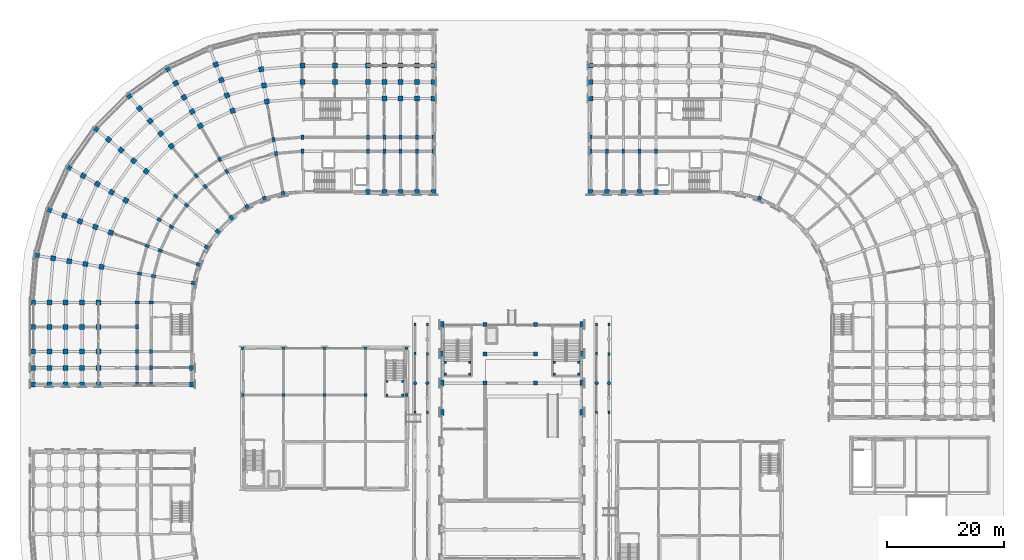
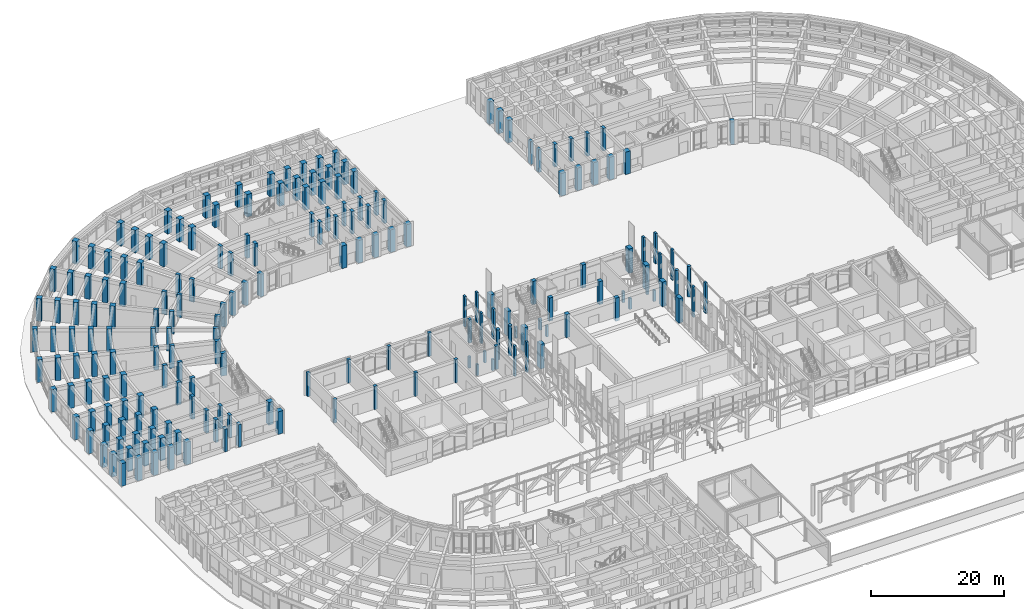
# One storey, part 7 of 135: 197 columns.
"""IFC4 building model written with IfcOpenShell, lengths in metres."""

from ifc_helpers import new_model, si_unit, direction, frame, origin, origin_2d, place, context, subcontext, project, spatial, rectangle, circle, extrude, material, material_profile, profile_set, type_object, element, save


model = new_model("IFC4")

# Units and contexts
model_context = context("Model", 3, precision=1e-05, world=origin(), true_north=direction((0.0, 1.0)))
body_context = subcontext(model_context, "Body", "Model", "MODEL_VIEW")
ifc_project = project(units=[si_unit("LENGTHUNIT", "METRE"), si_unit("AREAUNIT", "SQUARE_METRE"), si_unit("VOLUMEUNIT", "CUBIC_METRE"), si_unit("PLANEANGLEUNIT", "RADIAN"), si_unit("MASSUNIT", "GRAM", prefix="KILO")], contexts=[model_context])

# Site, building, storey
site_placement = place(None, origin())
site = spatial("IfcSite", under=ifc_project, at=site_placement, CompositionType="ELEMENT")
building_placement = place(site_placement, origin())
building = spatial("IfcBuilding", under=site, at=building_placement, Name="Kiranvali Square Residences", CompositionType="ELEMENT")
storey_placement = place(building_placement, origin())
storey = spatial("IfcBuildingStorey", under=building, at=storey_placement, Name="L00", CompositionType="ELEMENT", Elevation=0.0)

# Columns
ifc_material_1 = material(Name="Concrete M40 (40 MPa)", Category="concrete")
ifc_material_profile_1 = material_profile(ifc_material_1, rectangle(XDim=0.39990234375, YDim=0.39990234375, at=origin_2d()), Name="RC 400x400")
ifc_profile_set_1 = profile_set([ifc_material_profile_1], Name="Concrete M40 (40 MPa)")
column_type_1 = type_object("IfcColumnType", Name="COL-M40-400", PredefinedType="COLUMN", material=ifc_profile_set_1)
for number, where, z_axis, x_axis, name in (
    (1, (72.60009765625, 75.5, 0.0), (0.0, 0.0, 1.0), (1.0, 0.0, 0.0), "ST-CH1 mid-landing support column 1"),
    (2, (76.800048828125, 75.5, 0.0), (0.0, 0.0, 1.0), (1.0, 0.0, 0.0), "ST-CH1 mid-landing support column 2"),
    (3, (72.60009765625, 77.550048828125, 0.0), (0.0, 0.0, 1.0), (1.0, 0.0, 0.0), "ST-CH1 mid-landing support column 3"),
    (4, (76.800048828125, 77.550048828125, 0.0), (0.0, 0.0, 1.0), (1.0, 0.0, 0.0), "ST-CH1 mid-landing support column 4"),
    (5, (91.199951171875, 75.5, 0.0), (0.0, 0.0, 1.0), (1.0, 0.0, 0.0), "ST-CH2 mid-landing support column 1"),
    (6, (95.39990234375, 75.5, 0.0), (0.0, 0.0, 1.0), (1.0, 0.0, 0.0), "ST-CH2 mid-landing support column 2"),
    (7, (91.199951171875, 77.550048828125, 0.0), (0.0, 0.0, 1.0), (1.0, 0.0, 0.0), "ST-CH2 mid-landing support column 3"),
    (8, (95.39990234375, 77.550048828125, 0.0), (0.0, 0.0, 1.0), (1.0, 0.0, 0.0), "ST-CH2 mid-landing support column 4"),
):
    element("IfcColumn", number, at=place(storey_placement, frame(where, z_axis=z_axis, x_axis=x_axis)), inside=storey, type_object=column_type_1, Name=name, PredefinedType="COLUMN", context=body_context, shape_type="SweptSolid", body=[
        extrude(rectangle(XDim=0.39990234375, YDim=0.39990234375, at=origin_2d()), origin(), (0.0, 0.0, 1.0), 2.030029296875),
    ])
for number, where, z_axis, x_axis, name in (
    (9, (62.64990234375, 71.949951171875, 0.0), (0.0, 0.0, 1.0), (1.0, 0.0, 0.0), "ST-NR2 mid-landing support column 1"),
    (10, (65.35009765625, 71.949951171875, 0.0), (0.0, 0.0, 1.0), (1.0, 0.0, 0.0), "ST-NR2 mid-landing support column 2"),
    (11, (62.64990234375, 74.280029296875, 0.0), (0.0, 0.0, 1.0), (1.0, 0.0, 0.0), "ST-NR2 mid-landing support column 3"),
    (12, (65.35009765625, 74.280029296875, 0.0), (0.0, 0.0, 1.0), (1.0, 0.0, 0.0), "ST-NR2 mid-landing support column 4"),
):
    element("IfcColumn", number, at=place(storey_placement, frame(where, z_axis=z_axis, x_axis=x_axis)), inside=storey, type_object=column_type_1, Name=name, PredefinedType="COLUMN", context=body_context, shape_type="SweptSolid", body=[
        extrude(rectangle(XDim=0.39990234375, YDim=0.39990234375, at=origin_2d()), origin(), (0.0, 0.0, 1.0), 2.050048828125),
    ])
ifc_material_profile_2 = material_profile(ifc_material_1, rectangle(XDim=0.5, YDim=0.5, at=origin_2d()), Name="RC 500x500")
ifc_profile_set_2 = profile_set([ifc_material_profile_2], Name="Concrete M40 (40 MPa)")
column_type_2 = type_object("IfcColumnType", Name="COL-M40-500", PredefinedType="COLUMN", material=ifc_profile_set_2)
for number, where, z_axis, x_axis, name in (
    (13, (38.0, 72.0, 0.0), (0.0, 0.0, 1.0), (1.0, 0.0, 0.0), "Nursery Pavilion L00 column 0-2"),
    (14, (38.0, 80.0, 0.0), (0.0, 0.0, 1.0), (1.0, 0.0, 0.0), "Nursery Pavilion L00 column 0-3"),
    (15, (45.0, 72.0, 0.0), (0.0, 0.0, 1.0), (1.0, 0.0, 0.0), "Nursery Pavilion L00 column 1-2"),
    (16, (45.0, 80.0, 0.0), (0.0, 0.0, 1.0), (1.0, 0.0, 0.0), "Nursery Pavilion L00 column 1-3"),
    (17, (52.0, 72.0, 0.0), (0.0, 0.0, 1.0), (1.0, 0.0, 0.0), "Nursery Pavilion L00 column 2-2"),
    (18, (52.0, 80.0, 0.0), (0.0, 0.0, 1.0), (1.0, 0.0, 0.0), "Nursery Pavilion L00 column 2-3"),
    (19, (59.0, 72.0, 0.0), (0.0, 0.0, 1.0), (1.0, 0.0, 0.0), "Nursery Pavilion L00 column 3-2"),
    (20, (59.0, 80.0, 0.0), (0.0, 0.0, 1.0), (1.0, 0.0, 0.0), "Nursery Pavilion L00 column 3-3"),
    (21, (66.0, 72.0, 0.0), (0.0, 0.0, 1.0), (1.0, 0.0, 0.0), "Nursery Pavilion L00 column 4-2"),
    (22, (66.0, 80.0, 0.0), (0.0, 0.0, 1.0), (1.0, 0.0, 0.0), "Nursery Pavilion L00 column 4-3"),
):
    element("IfcColumn", number, at=place(storey_placement, frame(where, z_axis=z_axis, x_axis=x_axis)), inside=storey, type_object=column_type_2, Name=name, PredefinedType="COLUMN", context=body_context, shape_type="SweptSolid", body=[
        extrude(rectangle(XDim=0.5, YDim=0.5, at=origin_2d()), origin(), (0.0, 0.0, 1.0), 4.280029296875),
    ])
ifc_material_2 = material(Name="Concrete M45 (45 MPa)", Category="concrete")
ifc_material_profile_3 = material_profile(ifc_material_2, rectangle(XDim=0.699951171875, YDim=1.0, at=origin_2d()), Name="RC 1000x700")
ifc_profile_set_3 = profile_set([ifc_material_profile_3], Name="Concrete M45 (45 MPa)")
column_type_3 = type_object("IfcColumnType", Name="COL-M45-1000x700", PredefinedType="COLUMN", material=ifc_profile_set_3)
for number, where, z_axis, x_axis, name in (
    (23, (72.0, 69.0, 0.0), (0.0, 0.0, 1.0), (1.0, 0.0, 0.0), "Community Hall buttressed pier W6 L00"),
    (24, (96.0, 69.0, 0.0), (0.0, 0.0, 1.0), (1.0, 0.0, 0.0), "Community Hall buttressed pier E6 L00"),
    (25, (72.0, 74.0, 0.0), (0.0, 0.0, 1.0), (1.0, 0.0, 0.0), "Community Hall buttressed pier W7 L00"),
    (26, (96.0, 74.0, 0.0), (0.0, 0.0, 1.0), (1.0, 0.0, 0.0), "Community Hall buttressed pier E7 L00"),
    (27, (72.0, 79.0, 0.0), (0.0, 0.0, 1.0), (1.0, 0.0, 0.0), "Community Hall buttressed pier W8 L00"),
    (28, (96.0, 79.0, 0.0), (0.0, 0.0, 1.0), (1.0, 0.0, 0.0), "Community Hall buttressed pier E8 L00"),
    (29, (72.0, 84.0, 0.0), (0.0, 0.0, 1.0), (1.0, 0.0, 0.0), "Community Hall buttressed pier W9 L00"),
    (30, (96.0, 84.0, 0.0), (0.0, 0.0, 1.0), (1.0, 0.0, 0.0), "Community Hall buttressed pier E9 L00"),
):
    element("IfcColumn", number, at=place(storey_placement, frame(where, z_axis=z_axis, x_axis=x_axis)), inside=storey, type_object=column_type_3, Name=name, PredefinedType="COLUMN", context=body_context, shape_type="SweptSolid", body=[
        extrude(rectangle(XDim=0.699951171875, YDim=1.0, at=origin_2d()), origin(), (0.0, 0.0, 1.0), 4.5),
    ])
ifc_material_profile_4 = material_profile(ifc_material_2, rectangle(XDim=0.64990234375, YDim=0.64990234375, at=origin_2d()), Name="RC 650x650")
ifc_profile_set_4 = profile_set([ifc_material_profile_4], Name="Concrete M45 (45 MPa)")
column_type_4 = type_object("IfcColumnType", Name="COL-M45-650", PredefinedType="COLUMN", material=ifc_profile_set_4)
for number, where, z_axis, x_axis, name in (
    (31, (79.39990234375, 74.0, 0.0), (0.0, 0.0, 1.0), (1.0, 0.0, 0.0), "Community Hall gallery support column 79.4-74.0"),
    (32, (88.0, 74.0, 0.0), (0.0, 0.0, 1.0), (1.0, 0.0, 0.0), "Community Hall gallery support column 88.0-74.0"),
    (33, (79.39990234375, 79.0, 0.0), (0.0, 0.0, 1.0), (1.0, 0.0, 0.0), "Community Hall gallery support column 79.4-79.0"),
    (34, (88.0, 79.0, 0.0), (0.0, 0.0, 1.0), (1.0, 0.0, 0.0), "Community Hall gallery support column 88.0-79.0"),
    (35, (79.39990234375, 84.0, 0.0), (0.0, 0.0, 1.0), (1.0, 0.0, 0.0), "Community Hall gallery support column 79.4-84.0"),
    (36, (88.0, 84.0, 0.0), (0.0, 0.0, 1.0), (1.0, 0.0, 0.0), "Community Hall gallery support column 88.0-84.0"),
):
    element("IfcColumn", number, at=place(storey_placement, frame(where, z_axis=z_axis, x_axis=x_axis)), inside=storey, type_object=column_type_4, Name=name, PredefinedType="COLUMN", context=body_context, shape_type="SweptSolid", body=[
        extrude(rectangle(XDim=0.64990234375, YDim=0.64990234375, at=origin_2d()), origin(), (0.0, 0.0, 1.0), 4.25),
    ])
ifc_material_profile_5 = material_profile(ifc_material_2, rectangle(XDim=0.5, YDim=0.75, at=origin_2d()), Name="RC 750x500")
ifc_profile_set_5 = profile_set([ifc_material_profile_5], Name="Concrete M45 (45 MPa)")
column_type_5 = type_object("IfcColumnType", Name="COL-M45-750x500", PredefinedType="COLUMN", material=ifc_profile_set_5)
for number, where, z_axis, x_axis, name in (
    (37, (48.199951171875, 113.60009765625, 0.0), (0.0, 0.0, 1.0), (1.0, 0.0, 0.0), "Block A L00 radial column A00-R1"),
    (38, (48.199951171875, 116.0, 0.0), (0.0, 0.0, 1.0), (1.0, 0.0, 0.0), "Block A L00 radial column A00-R2"),
    (39, (43.719970703125, 113.2080078125, 0.0), (0.0, 0.0, 1.0), (0.984807753012, 0.173648177667, 0.0), "Block A L00 radial column A01-R1"),
    (40, (43.30322265625, 115.571533203125, 0.0), (0.0, 0.0, 1.0), (0.984807753012, 0.173648177667, 0.0), "Block A L00 radial column A01-R2"),
    (41, (35.300048828125, 110.1435546875, 0.0), (0.0, 0.0, 1.0), (0.866025403784, 0.5, 0.0), "Block A L00 radial column A03-R1"),
    (42, (34.10009765625, 112.221923828125, 0.0), (0.0, 0.0, 1.0), (0.866025403784, 0.5, 0.0), "Block A L00 radial column A03-R2"),
    (43, (31.615966796875, 107.56396484375, 0.0), (0.0, 0.0, 1.0), (0.766044443119, 0.642787609687, 0.0), "Block A L00 radial column A04-R1"),
    (44, (30.073486328125, 109.40234375, 0.0), (0.0, 0.0, 1.0), (0.766044443119, 0.642787609687, 0.0), "Block A L00 radial column A04-R2"),
    (45, (28.43603515625, 104.384033203125, 0.0), (0.0, 0.0, 1.0), (0.642787609687, 0.766044443119, 0.0), "Block A L00 radial column A05-R1"),
    (46, (26.59765625, 105.926513671875, 0.0), (0.0, 0.0, 1.0), (0.642787609687, 0.766044443119, 0.0), "Block A L00 radial column A05-R2"),
    (47, (25.8564453125, 100.699951171875, 0.0), (0.0, 0.0, 1.0), (0.5, 0.866025403784, 0.0), "Block A L00 radial column A06-R1"),
    (48, (23.778076171875, 101.89990234375, 0.0), (0.0, 0.0, 1.0), (0.5, 0.866025403784, 0.0), "Block A L00 radial column A06-R2"),
    (49, (23.955810546875, 96.6240234375, 0.0), (0.0, 0.0, 1.0), (0.342020143326, 0.939692620786, 0.0), "Block A L00 radial column A07-R1"),
    (50, (21.70068359375, 97.445068359375, 0.0), (0.0, 0.0, 1.0), (0.342020143326, 0.939692620786, 0.0), "Block A L00 radial column A07-R2"),
    (51, (22.7919921875, 92.280029296875, 0.0), (0.0, 0.0, 1.0), (0.173648177667, 0.984807753012, 0.0), "Block A L00 radial column A08-R1"),
    (52, (20.428466796875, 92.69677734375, 0.0), (0.0, 0.0, 1.0), (0.173648177667, 0.984807753012, 0.0), "Block A L00 radial column A08-R2"),
    (53, (22.39990234375, 87.800048828125, 0.0), (0.0, 0.0, 1.0), (0.0, 1.0, 0.0), "Block A L00 radial column A09-R1"),
    (54, (20.0, 87.800048828125, 0.0), (0.0, 0.0, 1.0), (0.0, 1.0, 0.0), "Block A L00 radial column A09-R2"),
    (55, (59.39990234375, 113.60009765625, 0.0), (0.0, 0.0, 1.0), (1.0, 0.0, 0.0), "Block A L00 Arm 1 column U1-R1"),
    (56, (59.39990234375, 116.0, 0.0), (0.0, 0.0, 1.0), (1.0, 0.0, 0.0), "Block A L00 Arm 1 column U1-R2"),
    (57, (62.199951171875, 113.60009765625, 0.0), (0.0, 0.0, 1.0), (1.0, 0.0, 0.0), "Block A L00 Arm 1 column U2-R1"),
    (58, (62.199951171875, 116.0, 0.0), (0.0, 0.0, 1.0), (1.0, 0.0, 0.0), "Block A L00 Arm 1 column U2-R2"),
    (59, (65.0, 113.60009765625, 0.0), (0.0, 0.0, 1.0), (1.0, 0.0, 0.0), "Block A L00 Arm 1 column U3-R1"),
    (60, (65.0, 116.0, 0.0), (0.0, 0.0, 1.0), (1.0, 0.0, 0.0), "Block A L00 Arm 1 column U3-R2"),
    (61, (67.800048828125, 113.60009765625, 0.0), (0.0, 0.0, 1.0), (1.0, 0.0, 0.0), "Block A L00 Arm 1 column U4-R1"),
    (62, (67.800048828125, 116.0, 0.0), (0.0, 0.0, 1.0), (1.0, 0.0, 0.0), "Block A L00 Arm 1 column U4-R2"),
    (63, (70.60009765625, 113.60009765625, 0.0), (0.0, 0.0, 1.0), (1.0, 0.0, 0.0), "Block A L00 Arm 1 column U5-R1"),
    (64, (70.60009765625, 116.0, 0.0), (0.0, 0.0, 1.0), (1.0, 0.0, 0.0), "Block A L00 Arm 1 column U5-R2"),
    (65, (20.0, 83.60009765625, 0.0), (0.0, 0.0, 1.0), (1.0, 0.0, 0.0), "Block A L00 Arm 2 mid-core column V0-R2"),
    (66, (22.39990234375, 79.39990234375, 0.0), (0.0, 0.0, 1.0), (1.0, 0.0, 0.0), "Block A L00 Arm 2 column V1-R1"),
    (67, (20.0, 79.39990234375, 0.0), (0.0, 0.0, 1.0), (1.0, 0.0, 0.0), "Block A L00 Arm 2 column V1-R2"),
    (68, (22.39990234375, 76.60009765625, 0.0), (0.0, 0.0, 1.0), (1.0, 0.0, 0.0), "Block A L00 Arm 2 column V2-R1"),
    (69, (20.0, 76.60009765625, 0.0), (0.0, 0.0, 1.0), (1.0, 0.0, 0.0), "Block A L00 Arm 2 column V2-R2"),
    (70, (22.39990234375, 73.800048828125, 0.0), (0.0, 0.0, 1.0), (1.0, 0.0, 0.0), "Block A L00 Arm 2 column V3-R1"),
    (71, (20.0, 73.800048828125, 0.0), (0.0, 0.0, 1.0), (1.0, 0.0, 0.0), "Block A L00 Arm 2 column V3-R2"),
    (72, (108.60009765625, 113.60009765625, 0.0), (0.0, 0.0, 1.0), (1.0, 0.0, 0.0), "Block B L00 Arm 1 column U1-R1"),
    (73, (105.800048828125, 113.60009765625, 0.0), (0.0, 0.0, 1.0), (1.0, 0.0, 0.0), "Block B L00 Arm 1 column U2-R1"),
    (74, (103.0, 113.60009765625, 0.0), (0.0, 0.0, 1.0), (1.0, 0.0, 0.0), "Block B L00 Arm 1 column U3-R1"),
    (75, (100.199951171875, 113.60009765625, 0.0), (0.0, 0.0, 1.0), (1.0, 0.0, 0.0), "Block B L00 Arm 1 column U4-R1"),
    (76, (97.39990234375, 113.60009765625, 0.0), (0.0, 0.0, 1.0), (1.0, 0.0, 0.0), "Block B L00 Arm 1 column U5-R1"),
    (77, (97.39990234375, 116.0, 0.0), (0.0, 0.0, 1.0), (1.0, 0.0, 0.0), "Block B L00 Arm 1 column U5-R2"),
):
    element("IfcColumn", number, at=place(storey_placement, frame(where, z_axis=z_axis, x_axis=x_axis)), inside=storey, type_object=column_type_5, Name=name, PredefinedType="COLUMN", context=body_context, shape_type="SweptSolid", body=[
        extrude(rectangle(XDim=0.5, YDim=0.75, at=origin_2d()), origin(), (0.0, 0.0, 1.0), 4.14990234375),
    ])
ifc_material_3 = material(Name="Concrete M50 (50 MPa)", Category="concrete")
ifc_material_profile_6 = material_profile(ifc_material_3, rectangle(XDim=0.85009765625, YDim=0.85009765625, at=origin_2d()), Name="RC 850x850")
ifc_profile_set_6 = profile_set([ifc_material_profile_6], Name="Concrete M50 (50 MPa)")
column_type_6 = type_object("IfcColumnType", Name="COL-M50-850", PredefinedType="COLUMN", material=ifc_profile_set_6)
for number, where, z_axis, x_axis, name in (
    (78, (48.199951171875, 125.39990234375, 0.0), (0.0, 0.0, 1.0), (1.0, 0.0, 0.0), "Block A L00 radial column A00-R4"),
    (79, (48.199951171875, 128.199951171875, 0.0), (0.0, 0.0, 1.0), (1.0, 0.0, 0.0), "Block A L00 radial column A00-R5"),
    (80, (42.156982421875, 122.0712890625, 0.0), (0.0, 0.0, 1.0), (0.984807753012, 0.173648177667, 0.0), "Block A L00 radial column A01-R3"),
    (81, (41.6708984375, 124.828857421875, 0.0), (0.0, 0.0, 1.0), (0.984807753012, 0.173648177667, 0.0), "Block A L00 radial column A01-R4"),
    (82, (41.1845703125, 127.586181640625, 0.0), (0.0, 0.0, 1.0), (0.984807753012, 0.173648177667, 0.0), "Block A L00 radial column A01-R5"),
    (83, (36.297607421875, 120.501220703125, 0.0), (0.0, 0.0, 1.0), (0.939692620786, 0.342020143326, 0.0), "Block A L00 radial column A02-R3"),
    (84, (35.340087890625, 123.13232421875, 0.0), (0.0, 0.0, 1.0), (0.939692620786, 0.342020143326, 0.0), "Block A L00 radial column A02-R4"),
    (85, (34.38232421875, 125.763671875, 0.0), (0.0, 0.0, 1.0), (0.939692620786, 0.342020143326, 0.0), "Block A L00 radial column A02-R5"),
    (86, (33.4248046875, 128.394775390625, 0.0), (0.0, 0.0, 1.0), (0.939692620786, 0.342020143326, 0.0), "Block A L00 radial column A02-R6"),
    (87, (30.800048828125, 117.937744140625, 0.0), (0.0, 0.0, 1.0), (0.866025403784, 0.5, 0.0), "Block A L00 radial column A03-R3"),
    (88, (29.39990234375, 120.362548828125, 0.0), (0.0, 0.0, 1.0), (0.866025403784, 0.5, 0.0), "Block A L00 radial column A03-R4"),
    (89, (28.0, 122.787353515625, 0.0), (0.0, 0.0, 1.0), (0.866025403784, 0.5, 0.0), "Block A L00 radial column A03-R5"),
    (90, (26.60009765625, 125.21240234375, 0.0), (0.0, 0.0, 1.0), (0.866025403784, 0.5, 0.0), "Block A L00 radial column A03-R6"),
    (91, (25.199951171875, 127.63720703125, 0.0), (0.0, 0.0, 1.0), (0.866025403784, 0.5, 0.0), "Block A L00 radial column A03-R7"),
    (92, (25.8310546875, 114.458251953125, 0.0), (0.0, 0.0, 1.0), (0.766044443119, 0.642787609687, 0.0), "Block A L00 radial column A04-R3"),
    (93, (24.03125, 116.603271484375, 0.0), (0.0, 0.0, 1.0), (0.766044443119, 0.642787609687, 0.0), "Block A L00 radial column A04-R4"),
    (94, (22.2314453125, 118.748291015625, 0.0), (0.0, 0.0, 1.0), (0.766044443119, 0.642787609687, 0.0), "Block A L00 radial column A04-R5"),
    (95, (20.431640625, 120.89306640625, 0.0), (0.0, 0.0, 1.0), (0.766044443119, 0.642787609687, 0.0), "Block A L00 radial column A04-R6"),
    (96, (18.6318359375, 123.0380859375, 0.0), (0.0, 0.0, 1.0), (0.766044443119, 0.642787609687, 0.0), "Block A L00 radial column A04-R7"),
    (97, (21.541748046875, 110.1689453125, 0.0), (0.0, 0.0, 1.0), (0.642787609687, 0.766044443119, 0.0), "Block A L00 radial column A05-R3"),
    (98, (19.396728515625, 111.96875, 0.0), (0.0, 0.0, 1.0), (0.642787609687, 0.766044443119, 0.0), "Block A L00 radial column A05-R4"),
    (99, (17.251708984375, 113.7685546875, 0.0), (0.0, 0.0, 1.0), (0.642787609687, 0.766044443119, 0.0), "Block A L00 radial column A05-R5"),
    (100, (15.10693359375, 115.568359375, 0.0), (0.0, 0.0, 1.0), (0.642787609687, 0.766044443119, 0.0), "Block A L00 radial column A05-R6"),
    (101, (12.9619140625, 117.3681640625, 0.0), (0.0, 0.0, 1.0), (0.642787609687, 0.766044443119, 0.0), "Block A L00 radial column A05-R7"),
    (102, (18.062255859375, 105.199951171875, 0.0), (0.0, 0.0, 1.0), (0.5, 0.866025403784, 0.0), "Block A L00 radial column A06-R3"),
    (103, (15.637451171875, 106.60009765625, 0.0), (0.0, 0.0, 1.0), (0.5, 0.866025403784, 0.0), "Block A L00 radial column A06-R4"),
    (104, (13.212646484375, 108.0, 0.0), (0.0, 0.0, 1.0), (0.5, 0.866025403784, 0.0), "Block A L00 radial column A06-R5"),
    (105, (10.78759765625, 109.39990234375, 0.0), (0.0, 0.0, 1.0), (0.5, 0.866025403784, 0.0), "Block A L00 radial column A06-R6"),
    (106, (8.36279296875, 110.800048828125, 0.0), (0.0, 0.0, 1.0), (0.5, 0.866025403784, 0.0), "Block A L00 radial column A06-R7"),
    (107, (15.498779296875, 99.702392578125, 0.0), (0.0, 0.0, 1.0), (0.342020143326, 0.939692620786, 0.0), "Block A L00 radial column A07-R3"),
    (108, (12.86767578125, 100.659912109375, 0.0), (0.0, 0.0, 1.0), (0.342020143326, 0.939692620786, 0.0), "Block A L00 radial column A07-R4"),
    (109, (10.236328125, 101.61767578125, 0.0), (0.0, 0.0, 1.0), (0.342020143326, 0.939692620786, 0.0), "Block A L00 radial column A07-R5"),
    (110, (7.605224609375, 102.5751953125, 0.0), (0.0, 0.0, 1.0), (0.342020143326, 0.939692620786, 0.0), "Block A L00 radial column A07-R6"),
    (111, (4.97412109375, 103.532958984375, 0.0), (0.0, 0.0, 1.0), (0.342020143326, 0.939692620786, 0.0), "Block A L00 radial column A07-R7"),
    (112, (13.9287109375, 93.843017578125, 0.0), (0.0, 0.0, 1.0), (0.173648177667, 0.984807753012, 0.0), "Block A L00 radial column A08-R3"),
    (113, (11.171142578125, 94.3291015625, 0.0), (0.0, 0.0, 1.0), (0.173648177667, 0.984807753012, 0.0), "Block A L00 radial column A08-R4"),
    (114, (8.413818359375, 94.8154296875, 0.0), (0.0, 0.0, 1.0), (0.173648177667, 0.984807753012, 0.0), "Block A L00 radial column A08-R5"),
    (115, (5.65625, 95.301513671875, 0.0), (0.0, 0.0, 1.0), (0.173648177667, 0.984807753012, 0.0), "Block A L00 radial column A08-R6"),
    (116, (2.89892578125, 95.787841796875, 0.0), (0.0, 0.0, 1.0), (0.173648177667, 0.984807753012, 0.0), "Block A L00 radial column A08-R7"),
    (117, (13.39990234375, 87.800048828125, 0.0), (0.0, 0.0, 1.0), (0.0, 1.0, 0.0), "Block A L00 radial column A09-R3"),
    (118, (10.60009765625, 87.800048828125, 0.0), (0.0, 0.0, 1.0), (0.0, 1.0, 0.0), "Block A L00 radial column A09-R4"),
    (119, (7.800048828125, 87.800048828125, 0.0), (0.0, 0.0, 1.0), (0.0, 1.0, 0.0), "Block A L00 radial column A09-R5"),
    (120, (5.0, 87.800048828125, 0.0), (0.0, 0.0, 1.0), (0.0, 1.0, 0.0), "Block A L00 radial column A09-R6"),
    (121, (2.199951171875, 87.800048828125, 0.0), (0.0, 0.0, 1.0), (0.0, 1.0, 0.0), "Block A L00 radial column A09-R7"),
    (122, (53.800048828125, 125.39990234375, 0.0), (0.0, 0.0, 1.0), (1.0, 0.0, 0.0), "Block A L00 core-front column U0-R4"),
    (123, (53.800048828125, 128.199951171875, 0.0), (0.0, 0.0, 1.0), (1.0, 0.0, 0.0), "Block A L00 core-front column U0-R5"),
    (124, (59.39990234375, 106.60009765625, 0.0), (0.0, 0.0, 1.0), (1.0, 0.0, 0.0), "Block A L00 Arm 1 column U1-R0"),
    (125, (59.39990234375, 125.39990234375, 0.0), (0.0, 0.0, 1.0), (1.0, 0.0, 0.0), "Block A L00 Arm 1 column U1-R4"),
    (126, (59.39990234375, 128.199951171875, 0.0), (0.0, 0.0, 1.0), (1.0, 0.0, 0.0), "Block A L00 Arm 1 column U1-R5"),
    (127, (62.199951171875, 106.60009765625, 0.0), (0.0, 0.0, 1.0), (1.0, 0.0, 0.0), "Block A L00 Arm 1 column U2-R0"),
    (128, (62.199951171875, 122.60009765625, 0.0), (0.0, 0.0, 1.0), (1.0, 0.0, 0.0), "Block A L00 Arm 1 column U2-R3"),
    (129, (62.199951171875, 125.39990234375, 0.0), (0.0, 0.0, 1.0), (1.0, 0.0, 0.0), "Block A L00 Arm 1 column U2-R4"),
    (130, (62.199951171875, 128.199951171875, 0.0), (0.0, 0.0, 1.0), (1.0, 0.0, 0.0), "Block A L00 Arm 1 column U2-R5"),
    (131, (65.0, 106.60009765625, 0.0), (0.0, 0.0, 1.0), (1.0, 0.0, 0.0), "Block A L00 Arm 1 column U3-R0"),
    (132, (65.0, 122.60009765625, 0.0), (0.0, 0.0, 1.0), (1.0, 0.0, 0.0), "Block A L00 Arm 1 column U3-R3"),
    (133, (65.0, 125.39990234375, 0.0), (0.0, 0.0, 1.0), (1.0, 0.0, 0.0), "Block A L00 Arm 1 column U3-R4"),
    (134, (65.0, 128.199951171875, 0.0), (0.0, 0.0, 1.0), (1.0, 0.0, 0.0), "Block A L00 Arm 1 column U3-R5"),
    (135, (67.800048828125, 106.60009765625, 0.0), (0.0, 0.0, 1.0), (1.0, 0.0, 0.0), "Block A L00 Arm 1 column U4-R0"),
    (136, (67.800048828125, 122.60009765625, 0.0), (0.0, 0.0, 1.0), (1.0, 0.0, 0.0), "Block A L00 Arm 1 column U4-R3"),
    (137, (67.800048828125, 125.39990234375, 0.0), (0.0, 0.0, 1.0), (1.0, 0.0, 0.0), "Block A L00 Arm 1 column U4-R4"),
    (138, (67.800048828125, 128.199951171875, 0.0), (0.0, 0.0, 1.0), (1.0, 0.0, 0.0), "Block A L00 Arm 1 column U4-R5"),
    (139, (70.60009765625, 106.60009765625, 0.0), (0.0, 0.0, 1.0), (1.0, 0.0, 0.0), "Block A L00 Arm 1 column U5-R0"),
    (140, (70.60009765625, 122.60009765625, 0.0), (0.0, 0.0, 1.0), (1.0, 0.0, 0.0), "Block A L00 Arm 1 column U5-R3"),
    (141, (70.60009765625, 125.39990234375, 0.0), (0.0, 0.0, 1.0), (1.0, 0.0, 0.0), "Block A L00 Arm 1 column U5-R4"),
    (142, (70.60009765625, 128.199951171875, 0.0), (0.0, 0.0, 1.0), (1.0, 0.0, 0.0), "Block A L00 Arm 1 column U5-R5"),
    (143, (13.39990234375, 83.60009765625, 0.0), (0.0, 0.0, 1.0), (1.0, 0.0, 0.0), "Block A L00 Arm 2 mid-core column V0-R3"),
    (144, (10.60009765625, 83.60009765625, 0.0), (0.0, 0.0, 1.0), (1.0, 0.0, 0.0), "Block A L00 Arm 2 mid-core column V0-R4"),
    (145, (7.800048828125, 83.60009765625, 0.0), (0.0, 0.0, 1.0), (1.0, 0.0, 0.0), "Block A L00 Arm 2 mid-core column V0-R5"),
    (146, (5.0, 83.60009765625, 0.0), (0.0, 0.0, 1.0), (1.0, 0.0, 0.0), "Block A L00 Arm 2 mid-core column V0-R6"),
    (147, (2.199951171875, 83.60009765625, 0.0), (0.0, 0.0, 1.0), (1.0, 0.0, 0.0), "Block A L00 Arm 2 mid-core column V0-R7"),
    (148, (13.39990234375, 79.39990234375, 0.0), (0.0, 0.0, 1.0), (1.0, 0.0, 0.0), "Block A L00 Arm 2 column V1-R3"),
    (149, (10.60009765625, 79.39990234375, 0.0), (0.0, 0.0, 1.0), (1.0, 0.0, 0.0), "Block A L00 Arm 2 column V1-R4"),
    (150, (7.800048828125, 79.39990234375, 0.0), (0.0, 0.0, 1.0), (1.0, 0.0, 0.0), "Block A L00 Arm 2 column V1-R5"),
    (151, (5.0, 79.39990234375, 0.0), (0.0, 0.0, 1.0), (1.0, 0.0, 0.0), "Block A L00 Arm 2 column V1-R6"),
    (152, (2.199951171875, 79.39990234375, 0.0), (0.0, 0.0, 1.0), (1.0, 0.0, 0.0), "Block A L00 Arm 2 column V1-R7"),
    (153, (29.39990234375, 76.60009765625, 0.0), (0.0, 0.0, 1.0), (1.0, 0.0, 0.0), "Block A L00 Arm 2 column V2-R0"),
    (154, (13.39990234375, 76.60009765625, 0.0), (0.0, 0.0, 1.0), (1.0, 0.0, 0.0), "Block A L00 Arm 2 column V2-R3"),
    (155, (10.60009765625, 76.60009765625, 0.0), (0.0, 0.0, 1.0), (1.0, 0.0, 0.0), "Block A L00 Arm 2 column V2-R4"),
    (156, (7.800048828125, 76.60009765625, 0.0), (0.0, 0.0, 1.0), (1.0, 0.0, 0.0), "Block A L00 Arm 2 column V2-R5"),
    (157, (5.0, 76.60009765625, 0.0), (0.0, 0.0, 1.0), (1.0, 0.0, 0.0), "Block A L00 Arm 2 column V2-R6"),
    (158, (2.199951171875, 76.60009765625, 0.0), (0.0, 0.0, 1.0), (1.0, 0.0, 0.0), "Block A L00 Arm 2 column V2-R7"),
    (159, (29.39990234375, 73.800048828125, 0.0), (0.0, 0.0, 1.0), (1.0, 0.0, 0.0), "Block A L00 Arm 2 column V3-R0"),
    (160, (13.39990234375, 73.800048828125, 0.0), (0.0, 0.0, 1.0), (1.0, 0.0, 0.0), "Block A L00 Arm 2 column V3-R3"),
    (161, (10.60009765625, 73.800048828125, 0.0), (0.0, 0.0, 1.0), (1.0, 0.0, 0.0), "Block A L00 Arm 2 column V3-R4"),
    (162, (7.800048828125, 73.800048828125, 0.0), (0.0, 0.0, 1.0), (1.0, 0.0, 0.0), "Block A L00 Arm 2 column V3-R5"),
    (163, (5.0, 73.800048828125, 0.0), (0.0, 0.0, 1.0), (1.0, 0.0, 0.0), "Block A L00 Arm 2 column V3-R6"),
    (164, (2.199951171875, 73.800048828125, 0.0), (0.0, 0.0, 1.0), (1.0, 0.0, 0.0), "Block A L00 Arm 2 column V3-R7"),
    (165, (108.60009765625, 106.60009765625, 0.0), (0.0, 0.0, 1.0), (1.0, 0.0, 0.0), "Block B L00 Arm 1 column U1-R0"),
    (166, (105.800048828125, 106.60009765625, 0.0), (0.0, 0.0, 1.0), (1.0, 0.0, 0.0), "Block B L00 Arm 1 column U2-R0"),
    (167, (103.0, 106.60009765625, 0.0), (0.0, 0.0, 1.0), (1.0, 0.0, 0.0), "Block B L00 Arm 1 column U3-R0"),
    (168, (100.199951171875, 106.60009765625, 0.0), (0.0, 0.0, 1.0), (1.0, 0.0, 0.0), "Block B L00 Arm 1 column U4-R0"),
    (169, (97.39990234375, 106.60009765625, 0.0), (0.0, 0.0, 1.0), (1.0, 0.0, 0.0), "Block B L00 Arm 1 column U5-R0"),
    (170, (97.39990234375, 122.60009765625, 0.0), (0.0, 0.0, 1.0), (1.0, 0.0, 0.0), "Block B L00 Arm 1 column U5-R3"),
    (171, (97.39990234375, 125.39990234375, 0.0), (0.0, 0.0, 1.0), (1.0, 0.0, 0.0), "Block B L00 Arm 1 column U5-R4"),
    (172, (97.39990234375, 128.199951171875, 0.0), (0.0, 0.0, 1.0), (1.0, 0.0, 0.0), "Block B L00 Arm 1 column U5-R5"),
):
    element("IfcColumn", number, at=place(storey_placement, frame(where, z_axis=z_axis, x_axis=x_axis)), inside=storey, type_object=column_type_6, Name=name, PredefinedType="COLUMN", context=body_context, shape_type="SweptSolid", body=[
        extrude(rectangle(XDim=0.85009765625, YDim=0.85009765625, at=origin_2d()), origin(), (0.0, 0.0, 1.0), 4.14990234375),
    ])
ifc_material_profile_7 = material_profile(ifc_material_3, rectangle(XDim=0.60009765625, YDim=0.89990234375, at=origin_2d()), Name="RC 900x600")
ifc_profile_set_7 = profile_set([ifc_material_profile_7], Name="Concrete M50 (50 MPa)")
column_type_7 = type_object("IfcColumnType", Name="COL-M50-900x600", PredefinedType="COLUMN", material=ifc_profile_set_7)
for number, where, z_axis, x_axis, name in (
    (173, (44.935302734375, 106.314453125, 0.0), (0.0, 0.0, 1.0), (0.984807753012, 0.173648177667, 0.0), "Block A L00 radial column A01-R0"),
    (174, (41.77001953125, 105.46630859375, 0.0), (0.0, 0.0, 1.0), (0.939692620786, 0.342020143326, 0.0), "Block A L00 radial column A02-R0"),
    (175, (38.800048828125, 104.081298828125, 0.0), (0.0, 0.0, 1.0), (0.866025403784, 0.5, 0.0), "Block A L00 radial column A03-R0"),
    (176, (36.115478515625, 102.20166015625, 0.0), (0.0, 0.0, 1.0), (0.766044443119, 0.642787609687, 0.0), "Block A L00 radial column A04-R0"),
    (177, (33.79833984375, 99.884521484375, 0.0), (0.0, 0.0, 1.0), (0.642787609687, 0.766044443119, 0.0), "Block A L00 radial column A05-R0"),
    (178, (31.918701171875, 97.199951171875, 0.0), (0.0, 0.0, 1.0), (0.5, 0.866025403784, 0.0), "Block A L00 radial column A06-R0"),
    (179, (30.53369140625, 94.22998046875, 0.0), (0.0, 0.0, 1.0), (0.342020143326, 0.939692620786, 0.0), "Block A L00 radial column A07-R0"),
    (180, (29.685546875, 91.064697265625, 0.0), (0.0, 0.0, 1.0), (0.173648177667, 0.984807753012, 0.0), "Block A L00 radial column A08-R0"),
    (181, (126.22998046875, 105.46630859375, 0.0), (0.0, 0.0, 1.0), (-0.939692620786, 0.342020143326, 0.0), "Block B L00 radial column A02-R0"),
):
    element("IfcColumn", number, at=place(storey_placement, frame(where, z_axis=z_axis, x_axis=x_axis)), inside=storey, type_object=column_type_7, Name=name, PredefinedType="COLUMN", context=body_context, shape_type="SweptSolid", body=[
        extrude(rectangle(XDim=0.60009765625, YDim=0.89990234375, at=origin_2d()), origin(), (0.0, 0.0, 1.0), 4.14990234375),
    ])
ifc_material_profile_8 = material_profile(ifc_material_1, rectangle(XDim=0.35009765625, YDim=0.5, at=origin_2d()), Name="RC 500x350")
ifc_profile_set_8 = profile_set([ifc_material_profile_8], Name="Concrete M40 (40 MPa)")
column_type_8 = type_object("IfcColumnType", Name="PIL-M40-500x350", PredefinedType="PILASTER", material=ifc_profile_set_8)
for number, where, z_axis, x_axis, name in (
    (182, (67.449951171875, 69.0, 0.0), (0.0, 0.0, 1.0), (1.0, 0.0, 0.0), "Ottoman pointed-arch colonnade pilaster ARC-GDN-W-6"),
    (183, (69.550048828125, 69.0, 0.0), (0.0, 0.0, 1.0), (1.0, 0.0, 0.0), "Ottoman pointed-arch colonnade inner pilaster ARC-GDN-W-6B"),
    (184, (67.449951171875, 84.0, 0.0), (0.0, 0.0, 1.0), (1.0, 0.0, 0.0), "Ottoman pointed-arch colonnade pilaster ARC-GDN-W-9"),
    (185, (69.550048828125, 84.0, 0.0), (0.0, 0.0, 1.0), (1.0, 0.0, 0.0), "Ottoman pointed-arch colonnade inner pilaster ARC-GDN-W-9B"),
    (186, (98.449951171875, 69.0, 0.0), (0.0, 0.0, 1.0), (1.0, 0.0, 0.0), "Ottoman pointed-arch colonnade pilaster ARC-GDN-E-6"),
    (187, (100.550048828125, 69.0, 0.0), (0.0, 0.0, 1.0), (1.0, 0.0, 0.0), "Ottoman pointed-arch colonnade inner pilaster ARC-GDN-E-6B"),
    (188, (98.449951171875, 84.0, 0.0), (0.0, 0.0, 1.0), (1.0, 0.0, 0.0), "Ottoman pointed-arch colonnade pilaster ARC-GDN-E-9"),
    (189, (100.550048828125, 84.0, 0.0), (0.0, 0.0, 1.0), (1.0, 0.0, 0.0), "Ottoman pointed-arch colonnade inner pilaster ARC-GDN-E-9B"),
):
    element("IfcColumn", number, at=place(storey_placement, frame(where, z_axis=z_axis, x_axis=x_axis)), inside=storey, type_object=column_type_8, Name=name, PredefinedType="PILASTER", context=body_context, shape_type="SweptSolid", body=[
        extrude(rectangle(XDim=0.35009765625, YDim=0.5, at=origin_2d()), origin(), (0.0, 0.0, 1.0), 5.56005859375),
    ])
ifc_material_profile_9 = material_profile(ifc_material_1, rectangle(XDim=0.35009765625, YDim=0.550048828125, at=origin_2d()), Name="RC 550x350")
ifc_profile_set_9 = profile_set([ifc_material_profile_9], Name="Concrete M40 (40 MPa)")
column_type_9 = type_object("IfcColumnType", Name="PIL-M40-550x350", PredefinedType="PILASTER", material=ifc_profile_set_9)
for number, where, z_axis, x_axis, name in (
    (190, (67.449951171875, 79.0, 0.0), (0.0, 0.0, 1.0), (1.0, 0.0, 0.0), "Ottoman pointed-arch colonnade pilaster ARC-GDN-W-8"),
    (191, (69.550048828125, 79.0, 0.0), (0.0, 0.0, 1.0), (1.0, 0.0, 0.0), "Ottoman pointed-arch colonnade inner pilaster ARC-GDN-W-8B"),
    (192, (98.449951171875, 79.0, 0.0), (0.0, 0.0, 1.0), (1.0, 0.0, 0.0), "Ottoman pointed-arch colonnade pilaster ARC-GDN-E-8"),
    (193, (100.550048828125, 79.0, 0.0), (0.0, 0.0, 1.0), (1.0, 0.0, 0.0), "Ottoman pointed-arch colonnade inner pilaster ARC-GDN-E-8B"),
):
    element("IfcColumn", number, at=place(storey_placement, frame(where, z_axis=z_axis, x_axis=x_axis)), inside=storey, type_object=column_type_9, Name=name, PredefinedType="PILASTER", context=body_context, shape_type="SweptSolid", body=[
        extrude(rectangle(XDim=0.35009765625, YDim=0.550048828125, at=origin_2d()), origin(), (0.0, 0.0, 1.0), 5.56005859375),
    ])
ifc_material_profile_10 = material_profile(ifc_material_1, circle(Radius=0.300048828125, at=origin_2d()), Name="RC-CIRC 600")
ifc_profile_set_10 = profile_set([ifc_material_profile_10], Name="Concrete M40 (40 MPa)")
column_type_10 = type_object("IfcColumnType", Name="PIL-M40-C600", PredefinedType="PILASTER", material=ifc_profile_set_10)
for number, where, z_axis, x_axis, name in (
    (194, (67.449951171875, 74.0, 0.0), (0.0, 0.0, 1.0), (1.0, 0.0, 0.0), "Ottoman pointed-arch colonnade pilaster ARC-GDN-W-7"),
    (195, (69.550048828125, 74.0, 0.0), (0.0, 0.0, 1.0), (1.0, 0.0, 0.0), "Ottoman pointed-arch colonnade inner pilaster ARC-GDN-W-7B"),
    (196, (98.449951171875, 74.0, 0.0), (0.0, 0.0, 1.0), (1.0, 0.0, 0.0), "Ottoman pointed-arch colonnade pilaster ARC-GDN-E-7"),
    (197, (100.550048828125, 74.0, 0.0), (0.0, 0.0, 1.0), (1.0, 0.0, 0.0), "Ottoman pointed-arch colonnade inner pilaster ARC-GDN-E-7B"),
):
    element("IfcColumn", number, at=place(storey_placement, frame(where, z_axis=z_axis, x_axis=x_axis)), inside=storey, type_object=column_type_10, Name=name, PredefinedType="PILASTER", context=body_context, shape_type="SweptSolid", body=[
        extrude(circle(Radius=0.300048828125, at=origin_2d()), origin(), (0.0, 0.0, 1.0), 5.56005859375),
    ])

save(model, "model.ifc")
